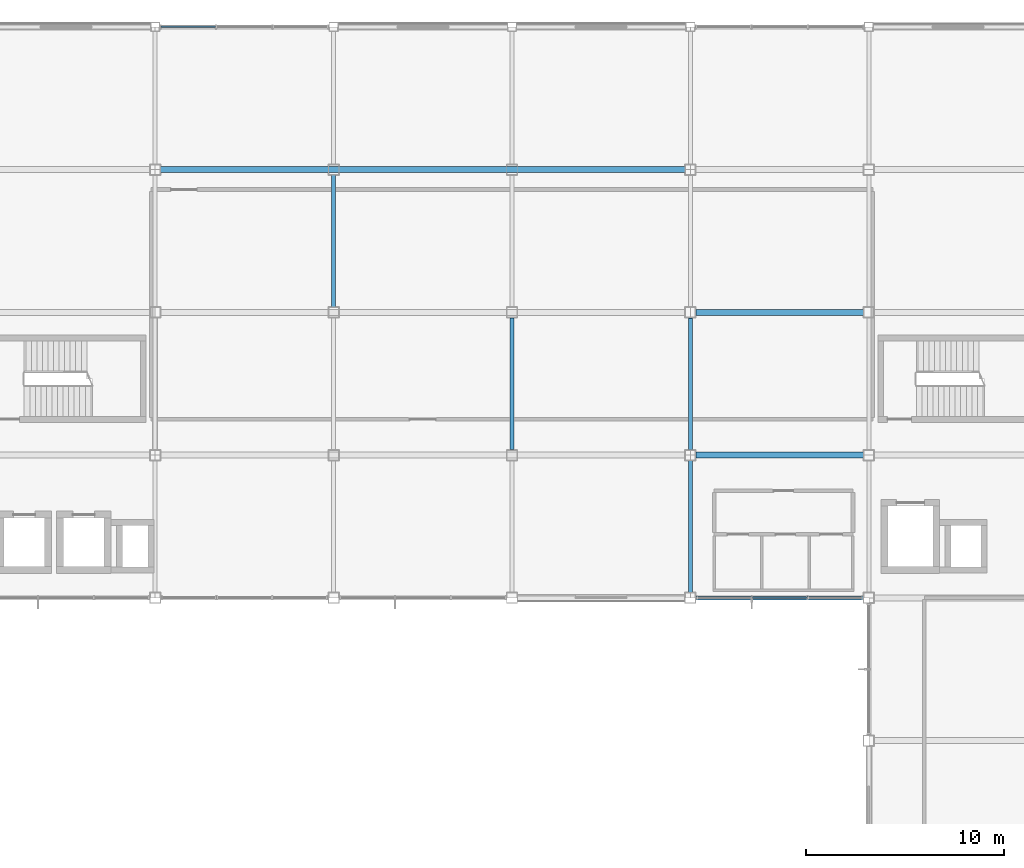
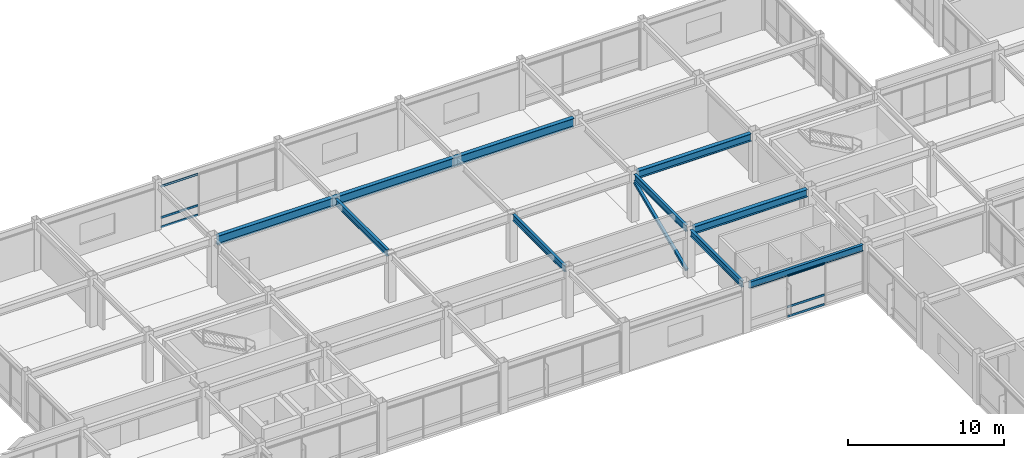
# One storey, part 71 of 122: 8 beams, 7 members, 2 elements without a shape of their own.
"""IFC4 building model written with IfcOpenShell, lengths in metres."""

from ifc_helpers import new_model, si_unit, direction, frame, origin, origin_2d, place, context, subcontext, project, spatial, hollow_rectangle, i_section, extrude, material, material_profile, profile_set, type_object, element, aggregate, save


model = new_model("IFC4")

# Units and contexts
model_context = context("Model", 3, precision=1e-05, world=origin(), true_north=direction((0.0, 1.0)))
body_context = subcontext(model_context, "Body", "Model", "MODEL_VIEW")
ifc_project = project(units=[si_unit("LENGTHUNIT", "METRE"), si_unit("AREAUNIT", "SQUARE_METRE"), si_unit("VOLUMEUNIT", "CUBIC_METRE"), si_unit("PLANEANGLEUNIT", "RADIAN"), si_unit("MASSUNIT", "GRAM", prefix="KILO")], contexts=[model_context])

# Site, building, storey
site_placement = place(None, origin())
site = spatial("IfcSite", under=ifc_project, at=site_placement, CompositionType="ELEMENT")
building_placement = place(site_placement, origin())
building = spatial("IfcBuilding", under=site, at=building_placement, Name="Kazanami Central Library", CompositionType="ELEMENT")
storey_placement = place(building_placement, frame((0.0, 0.0, 4.800048828125)))
storey = spatial("IfcBuildingStorey", under=building, at=storey_placement, Name="L02", CompositionType="ELEMENT", Elevation=4.800048828125)

# Beams
ifc_material_1 = material(Name="Steel SN490B (325 MPa)", Category="steel")
ifc_material_profile_1 = material_profile(ifc_material_1, i_section(OverallWidth=0.300048828125, OverallDepth=0.699951171875, WebThickness=0.012939453125, FlangeThickness=0.02392578125, at=origin_2d()), Name="H-700x300x13x24")
ifc_profile_set_1 = profile_set([ifc_material_profile_1], Name="Steel SN490B (325 MPa)")
beam_type_1 = type_object("IfcBeamType", Name="BM-G-AT", PredefinedType="BEAM", material=ifc_profile_set_1)
beam_1_placement = place(storey_placement, frame((63.27294921875, 86.39990234375, 3.405029296875), z_axis=(1.0, 0.0, 0.0), x_axis=(0.0, 1.0, 0.0)))
element("IfcBeam", 1, at=beam_1_placement, inside=storey, type_object=beam_type_1, Name="Barrel Vault Springing Tie Girder G-AT L02 C Grid N", PredefinedType="BEAM", context=body_context, shape_type="SweptSolid", body=[
    extrude(i_section(OverallWidth=0.300048828125, OverallDepth=0.699951171875, WebThickness=0.012939453125, FlangeThickness=0.02392578125, at=origin_2d()), origin(), (0.0, 0.0, 1.0), 26.4541015625),
])
ifc_material_profile_2 = material_profile(ifc_material_1, i_section(OverallWidth=0.300048828125, OverallDepth=0.587890625, WebThickness=0.011962890625, FlangeThickness=0.02001953125, at=origin_2d()), Name="H-588x300x12x20")
ifc_profile_set_2 = profile_set([ifc_material_profile_2], Name="Steel SN490B (325 MPa)")
beam_type_2 = type_object("IfcBeamType", Name="BM-G-X2", PredefinedType="BEAM", material=ifc_profile_set_2)
for number, where, z_axis, x_axis, name in (
    (2, (90.27294921875, 72.0, 3.4609375), (1.0, 0.0, 0.0), (0.0, 1.0, 0.0), "Girder G-X2 L02 L/11-12"),
    (3, (90.27294921875, 79.199951171875, 3.4609375), (1.0, 0.0, 0.0), (0.0, 1.0, 0.0), "Girder G-X2 L02 M/11-12"),
):
    element("IfcBeam", number, at=place(storey_placement, frame(where, z_axis=z_axis, x_axis=x_axis)), inside=storey, type_object=beam_type_2, Name=name, PredefinedType="BEAM", context=body_context, shape_type="SweptSolid", body=[
        extrude(i_section(OverallWidth=0.300048828125, OverallDepth=0.587890625, WebThickness=0.011962890625, FlangeThickness=0.02001953125, at=origin_2d()), origin(), (0.0, 0.0, 1.0), 8.4541015625),
    ])
ifc_material_profile_3 = material_profile(ifc_material_1, i_section(OverallWidth=0.199951171875, OverallDepth=0.5, WebThickness=0.010009765625, FlangeThickness=0.01611328125, at=origin_2d()), Name="H-500x200x10x16")
ifc_profile_set_3 = profile_set([ifc_material_profile_3], Name="Steel SN490B (325 MPa)")
beam_type_3 = type_object("IfcBeamType", Name="BM-G-Y2", PredefinedType="BEAM", material=ifc_profile_set_3)
for number, where, z_axis, x_axis, name in (
    (4, (72.0, 79.472900390625, 3.5048828125), (0.0, 1.0, 0.0), (-1.0, 0.0, 0.0), "Girder G-Y2 L02 9/M-N"),
    (5, (81.0, 72.27294921875, 3.5048828125), (0.0, 1.0, 0.0), (-1.0, 0.0, 0.0), "Girder G-Y2 L02 10/L-M"),
    (6, (90.0, 65.072998046875, 3.5048828125), (0.0, 1.0, 0.0), (-1.0, 0.0, 0.0), "Girder G-Y2 L02 11/K-L"),
    (7, (90.0, 72.27294921875, 3.5048828125), (0.0, 1.0, 0.0), (-1.0, 0.0, 0.0), "Girder G-Y2 L02 11/L-M"),
):
    element("IfcBeam", number, at=place(storey_placement, frame(where, z_axis=z_axis, x_axis=x_axis)), inside=storey, type_object=beam_type_3, Name=name, PredefinedType="BEAM", context=body_context, shape_type="SweptSolid", body=[
        extrude(i_section(OverallWidth=0.199951171875, OverallDepth=0.5, WebThickness=0.010009765625, FlangeThickness=0.01611328125, at=origin_2d()), origin(), (0.0, 0.0, 1.0), 6.654052734375),
    ])
ifc_material_profile_4 = material_profile(ifc_material_1, i_section(OverallWidth=0.199951171875, OverallDepth=0.5, WebThickness=0.010009765625, FlangeThickness=0.01611328125, at=origin_2d()), Name="H-500x200x10x16")
ifc_profile_set_4 = profile_set([ifc_material_profile_4], Name="Steel SN490B (325 MPa)")
beam_type_4 = type_object("IfcBeamType", Name="BM-SP-1", PredefinedType="SPANDREL", material=ifc_profile_set_4)
beam_2_placement = place(storey_placement, frame((90.27294921875, 64.800048828125, 3.5048828125), z_axis=(1.0, 0.0, 0.0), x_axis=(0.0, 1.0, 0.0)))
element("IfcBeam", 8, at=beam_2_placement, inside=storey, type_object=beam_type_4, Name="Girder SP-1 L02 K/11-12", PredefinedType="SPANDREL", context=body_context, shape_type="SweptSolid", body=[
    extrude(i_section(OverallWidth=0.199951171875, OverallDepth=0.5, WebThickness=0.010009765625, FlangeThickness=0.01611328125, at=origin_2d()), origin(), (0.0, 0.0, 1.0), 8.4541015625),
])

# Member
ifc_material_2 = material(Name="Steel STK490 (315 MPa)", Category="steel")
ifc_material_profile_5 = material_profile(ifc_material_2, hollow_rectangle(XDim=0.199951171875, YDim=0.199951171875, WallThickness=0.009033203125, at=origin_2d()), Name="STKR-200x200x9")
ifc_profile_set_5 = profile_set([ifc_material_profile_5], Name="Steel STK490 (315 MPa)")
member_type_1 = type_object("IfcMemberType", Name="MEM-BR-08", PredefinedType="BRACE", material=ifc_profile_set_5)
member_1_placement = place(storey_placement, frame((90.0, 72.27490234375, 0.25), z_axis=(0.0, 0.920398716646, 0.390981076776), x_axis=(-1.0, 0.0, 0.0)))
element("IfcMember", 9, at=member_1_placement, inside=storey, type_object=member_type_1, Name="Concentric Steel Brace BR-08 L02 BF-V1B", PredefinedType="BRACE", context=body_context, shape_type="SweptSolid", body=[
    extrude(hollow_rectangle(XDim=0.199951171875, YDim=0.199951171875, WallThickness=0.009033203125, at=origin_2d()), origin(), (0.0, 0.0, 1.0), 7.225341796875),
])

# Curtain wall, members
ifc_material_3 = material(Name="Acid-Etched Low-E Laminated Glass", Category="glass")
curtain_wall_type_1 = type_object("IfcCurtainWallType", Name="CW-8450x3255-M275", PredefinedType="USERDEFINED", material=ifc_material_3)
curtain_wall_1_placement = place(storey_placement, origin())
curtain_wall_1 = element("IfcCurtainWall", 10, at=curtain_wall_1_placement, inside=storey, type_object=curtain_wall_type_1, Name="Unitised Curtain Wall CW-13 L02 S-K-10", ObjectType="UNITISED CURTAIN WALL", PredefinedType="USERDEFINED")
ifc_material_4 = material(Name="Anodised Aluminium A6063-T5", Category="aluminium")
ifc_material_profile_6 = material_profile(ifc_material_4, hollow_rectangle(XDim=0.070068359375, YDim=0.159912109375, WallThickness=0.00390625, at=origin_2d()), Name="ALU-TRAN-70x160x4")
ifc_profile_set_6 = profile_set([ifc_material_profile_6], Name="Anodised Aluminium A6063-T5")
member_type_2 = type_object("IfcMemberType", Name="MEM-CW-T1", PredefinedType="USERDEFINED", material=ifc_profile_set_6)
member_2_placement = place(storey_placement, frame((93.126708984375, 64.800048828125, 0.034912109375), z_axis=(1.0, 0.0, 0.0), x_axis=(0.0, 1.0, 0.0)))
member_2 = element("IfcMember", 11, at=member_2_placement, type_object=member_type_2, Name="CW-13 transom 2.1", ObjectType="TRANSOM", PredefinedType="USERDEFINED", context=body_context, shape_type="SweptSolid", body=[
    extrude(hollow_rectangle(XDim=0.070068359375, YDim=0.159912109375, WallThickness=0.00390625, at=origin_2d()), origin(), (0.0, 0.0, 1.0), 2.74658203125),
])
member_3_placement = place(storey_placement, frame((93.126708984375, 64.800048828125, 0.780029296875), z_axis=(1.0, 0.0, 0.0), x_axis=(0.0, 1.0, 0.0)))
member_3 = element("IfcMember", 12, at=member_3_placement, type_object=member_type_2, Name="CW-13 transom 2.2", ObjectType="TRANSOM", PredefinedType="USERDEFINED", context=body_context, shape_type="SweptSolid", body=[
    extrude(hollow_rectangle(XDim=0.070068359375, YDim=0.159912109375, WallThickness=0.00390625, at=origin_2d()), origin(), (0.0, 0.0, 1.0), 2.74658203125),
])
member_4_placement = place(storey_placement, frame((93.126708984375, 64.800048828125, 3.219970703125), z_axis=(1.0, 0.0, 0.0), x_axis=(0.0, 1.0, 0.0)))
member_4 = element("IfcMember", 13, at=member_4_placement, type_object=member_type_2, Name="CW-13 transom 2.3", ObjectType="TRANSOM", PredefinedType="USERDEFINED", context=body_context, shape_type="SweptSolid", body=[
    extrude(hollow_rectangle(XDim=0.070068359375, YDim=0.159912109375, WallThickness=0.00390625, at=origin_2d()), origin(), (0.0, 0.0, 1.0), 2.74658203125),
])
aggregate(curtain_wall_1, [member_2, member_3, member_4])

curtain_wall_type_2 = type_object("IfcCurtainWallType", Name="CW-8550x3255-M275", PredefinedType="USERDEFINED", material=ifc_material_3)
curtain_wall_2_placement = place(storey_placement, origin())
curtain_wall_2 = element("IfcCurtainWall", 14, at=curtain_wall_2_placement, inside=storey, type_object=curtain_wall_type_2, Name="Unitised Curtain Wall CW-19 L02 N-O-07", ObjectType="UNITISED CURTAIN WALL", PredefinedType="USERDEFINED")
member_5_placement = place(storey_placement, frame((66.0400390625, 93.60009765625, 0.034912109375), z_axis=(-1.0, 0.0, 0.0), x_axis=(0.0, -1.0, 0.0)))
member_5 = element("IfcMember", 15, at=member_5_placement, type_object=member_type_2, Name="CW-19 transom 3.1", ObjectType="TRANSOM", PredefinedType="USERDEFINED", context=body_context, shape_type="SweptSolid", body=[
    extrude(hollow_rectangle(XDim=0.070068359375, YDim=0.159912109375, WallThickness=0.00390625, at=origin_2d()), origin(), (0.0, 0.0, 1.0), 2.7451171875),
])
member_6_placement = place(storey_placement, frame((66.0400390625, 93.60009765625, 0.780029296875), z_axis=(-1.0, 0.0, 0.0), x_axis=(0.0, -1.0, 0.0)))
member_6 = element("IfcMember", 16, at=member_6_placement, type_object=member_type_2, Name="CW-19 transom 3.2", ObjectType="TRANSOM", PredefinedType="USERDEFINED", context=body_context, shape_type="SweptSolid", body=[
    extrude(hollow_rectangle(XDim=0.070068359375, YDim=0.159912109375, WallThickness=0.00390625, at=origin_2d()), origin(), (0.0, 0.0, 1.0), 2.7451171875),
])
member_7_placement = place(storey_placement, frame((66.0400390625, 93.60009765625, 3.219970703125), z_axis=(-1.0, 0.0, 0.0), x_axis=(0.0, -1.0, 0.0)))
member_7 = element("IfcMember", 17, at=member_7_placement, type_object=member_type_2, Name="CW-19 transom 3.3", ObjectType="TRANSOM", PredefinedType="USERDEFINED", context=body_context, shape_type="SweptSolid", body=[
    extrude(hollow_rectangle(XDim=0.070068359375, YDim=0.159912109375, WallThickness=0.00390625, at=origin_2d()), origin(), (0.0, 0.0, 1.0), 2.7451171875),
])
aggregate(curtain_wall_2, [member_5, member_6, member_7])

save(model, "model.ifc")
